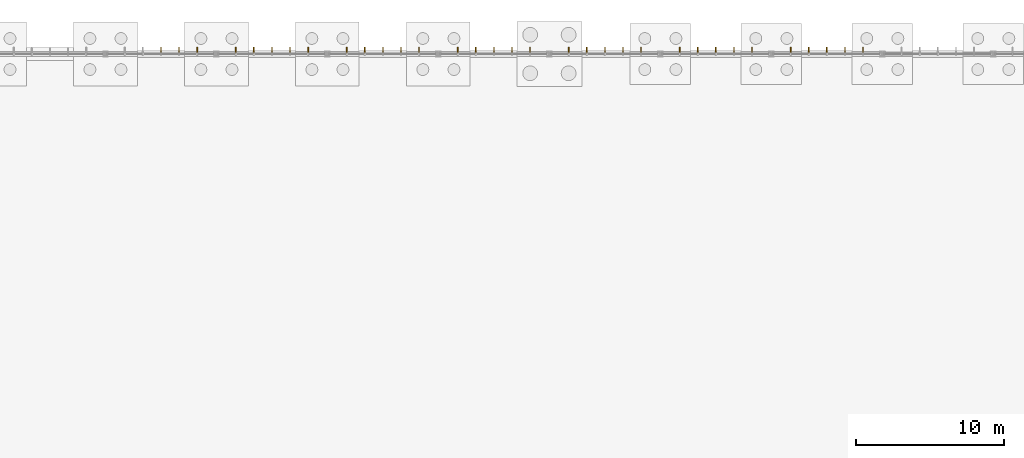
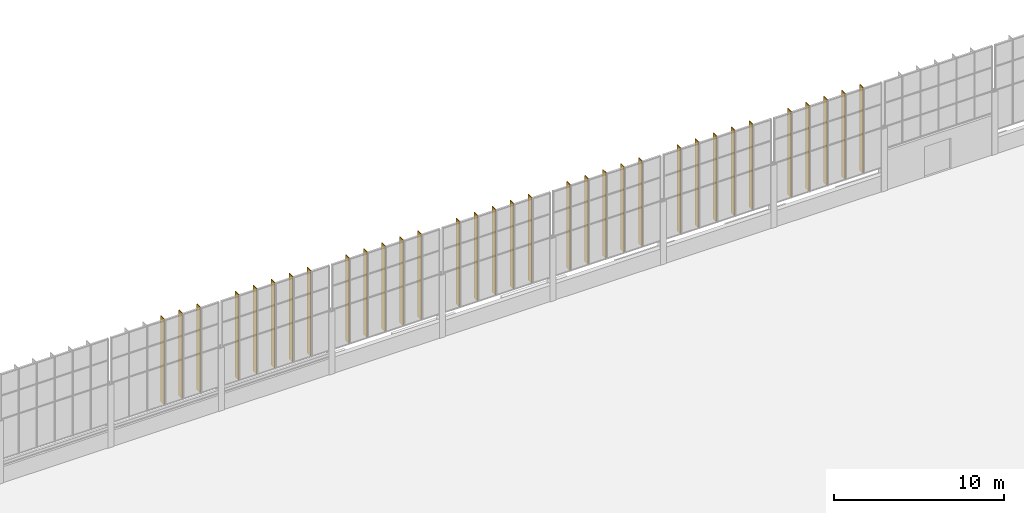
# One storey, part 129 of 136: 33 coverings.
"""IFC4 building model written with IfcOpenShell, lengths in metres."""

from ifc_helpers import new_model, si_unit, direction, frame, origin, origin_2d, place, context, subcontext, project, spatial, rectangle, extrude, material, layer, layer_set, type_object, element, save


model = new_model("IFC4")

# Units and contexts
model_context = context("Model", 3, precision=1e-05, world=origin(), true_north=direction((0.0, 1.0)))
body_context = subcontext(model_context, "Body", "Model", "MODEL_VIEW")
ifc_project = project(units=[si_unit("LENGTHUNIT", "METRE"), si_unit("AREAUNIT", "SQUARE_METRE"), si_unit("VOLUMEUNIT", "CUBIC_METRE"), si_unit("PLANEANGLEUNIT", "RADIAN"), si_unit("MASSUNIT", "GRAM", prefix="KILO")], contexts=[model_context])

# Site, building, storey
site_placement = place(None, origin())
site = spatial("IfcSite", under=ifc_project, at=site_placement, CompositionType="ELEMENT")
building_placement = place(site_placement, origin())
building = spatial("IfcBuilding", under=site, at=building_placement, Name="Solvenia Promenade Tram Depot", CompositionType="ELEMENT")
storey_placement = place(building_placement, origin())
storey = spatial("IfcBuildingStorey", under=building, at=storey_placement, Name="L00", CompositionType="ELEMENT", Elevation=0.0)

# Coverings
ifc_material = material(Name="Anodized aluminium AW-6063 T6", Category="aluminium")
ifc_layer = layer(ifc_material, 0.050048828125, Name="Anodized aluminium AW-6063 T6", Category="aluminium")
ifc_layer_set = layer_set([ifc_layer], Name="Anodized aluminium AW-6063 T6")
covering_type = type_object("IfcCoveringType", Name="Fin-Shade-380", PredefinedType="CLADDING", material=ifc_layer_set)
for number, where, z_axis, x_axis, name in (
    (1, (63.75, 126.2548828125, 1.60009765625), (0.0, 0.0, 1.0), (1.0, 0.0, 0.0), "Channel-Glass Vertical Shading Rib 043"),
    (2, (64.973388671875, 126.2548828125, 1.60009765625), (0.0, 0.0, 1.0), (1.0, 0.0, 0.0), "Channel-Glass Vertical Shading Rib 044"),
    (3, (66.19677734375, 126.2548828125, 1.60009765625), (0.0, 0.0, 1.0), (1.0, 0.0, 0.0), "Channel-Glass Vertical Shading Rib 045"),
    (4, (68.80322265625, 126.2548828125, 1.60009765625), (0.0, 0.0, 1.0), (1.0, 0.0, 0.0), "Channel-Glass Vertical Shading Rib 046"),
    (5, (70.026611328125, 126.2548828125, 1.60009765625), (0.0, 0.0, 1.0), (1.0, 0.0, 0.0), "Channel-Glass Vertical Shading Rib 047"),
    (6, (71.25, 126.2548828125, 1.60009765625), (0.0, 0.0, 1.0), (1.0, 0.0, 0.0), "Channel-Glass Vertical Shading Rib 048"),
    (7, (72.473388671875, 126.2548828125, 1.60009765625), (0.0, 0.0, 1.0), (1.0, 0.0, 0.0), "Channel-Glass Vertical Shading Rib 049"),
    (8, (73.69677734375, 126.2548828125, 1.60009765625), (0.0, 0.0, 1.0), (1.0, 0.0, 0.0), "Channel-Glass Vertical Shading Rib 050"),
    (9, (76.30322265625, 126.2548828125, 1.60009765625), (0.0, 0.0, 1.0), (1.0, 0.0, 0.0), "Channel-Glass Vertical Shading Rib 051"),
    (10, (77.526611328125, 126.2548828125, 1.60009765625), (0.0, 0.0, 1.0), (1.0, 0.0, 0.0), "Channel-Glass Vertical Shading Rib 052"),
    (11, (78.75, 126.2548828125, 1.60009765625), (0.0, 0.0, 1.0), (1.0, 0.0, 0.0), "Channel-Glass Vertical Shading Rib 053"),
    (12, (79.973388671875, 126.2548828125, 1.60009765625), (0.0, 0.0, 1.0), (1.0, 0.0, 0.0), "Channel-Glass Vertical Shading Rib 054"),
    (13, (81.19677734375, 126.2548828125, 1.60009765625), (0.0, 0.0, 1.0), (1.0, 0.0, 0.0), "Channel-Glass Vertical Shading Rib 055"),
    (14, (83.80322265625, 126.2548828125, 1.60009765625), (0.0, 0.0, 1.0), (1.0, 0.0, 0.0), "Channel-Glass Vertical Shading Rib 056"),
    (15, (85.026611328125, 126.2548828125, 1.60009765625), (0.0, 0.0, 1.0), (1.0, 0.0, 0.0), "Channel-Glass Vertical Shading Rib 057"),
    (16, (86.25, 126.2548828125, 1.60009765625), (0.0, 0.0, 1.0), (1.0, 0.0, 0.0), "Channel-Glass Vertical Shading Rib 058"),
    (17, (87.473388671875, 126.2548828125, 1.60009765625), (0.0, 0.0, 1.0), (1.0, 0.0, 0.0), "Channel-Glass Vertical Shading Rib 059"),
    (18, (88.69677734375, 126.2548828125, 1.60009765625), (0.0, 0.0, 1.0), (1.0, 0.0, 0.0), "Channel-Glass Vertical Shading Rib 060"),
    (19, (91.30322265625, 126.2548828125, 1.60009765625), (0.0, 0.0, 1.0), (1.0, 0.0, 0.0), "Channel-Glass Vertical Shading Rib 061"),
    (20, (92.526611328125, 126.2548828125, 1.60009765625), (0.0, 0.0, 1.0), (1.0, 0.0, 0.0), "Channel-Glass Vertical Shading Rib 062"),
    (21, (93.75, 126.2548828125, 1.60009765625), (0.0, 0.0, 1.0), (1.0, 0.0, 0.0), "Channel-Glass Vertical Shading Rib 063"),
    (22, (94.973388671875, 126.2548828125, 1.60009765625), (0.0, 0.0, 1.0), (1.0, 0.0, 0.0), "Channel-Glass Vertical Shading Rib 064"),
    (23, (96.19677734375, 126.2548828125, 1.60009765625), (0.0, 0.0, 1.0), (1.0, 0.0, 0.0), "Channel-Glass Vertical Shading Rib 065"),
    (24, (98.80322265625, 126.2548828125, 1.60009765625), (0.0, 0.0, 1.0), (1.0, 0.0, 0.0), "Channel-Glass Vertical Shading Rib 066"),
    (25, (100.026611328125, 126.2548828125, 1.60009765625), (0.0, 0.0, 1.0), (1.0, 0.0, 0.0), "Channel-Glass Vertical Shading Rib 067"),
    (26, (101.25, 126.2548828125, 1.60009765625), (0.0, 0.0, 1.0), (1.0, 0.0, 0.0), "Channel-Glass Vertical Shading Rib 068"),
    (27, (102.473388671875, 126.2548828125, 1.60009765625), (0.0, 0.0, 1.0), (1.0, 0.0, 0.0), "Channel-Glass Vertical Shading Rib 069"),
    (28, (103.69677734375, 126.2548828125, 1.60009765625), (0.0, 0.0, 1.0), (1.0, 0.0, 0.0), "Channel-Glass Vertical Shading Rib 070"),
    (29, (106.30322265625, 126.2548828125, 1.60009765625), (0.0, 0.0, 1.0), (1.0, 0.0, 0.0), "Channel-Glass Vertical Shading Rib 071"),
    (30, (107.526611328125, 126.2548828125, 1.60009765625), (0.0, 0.0, 1.0), (1.0, 0.0, 0.0), "Channel-Glass Vertical Shading Rib 072"),
    (31, (108.75, 126.2548828125, 1.60009765625), (0.0, 0.0, 1.0), (1.0, 0.0, 0.0), "Channel-Glass Vertical Shading Rib 073"),
    (32, (109.973388671875, 126.2548828125, 1.60009765625), (0.0, 0.0, 1.0), (1.0, 0.0, 0.0), "Channel-Glass Vertical Shading Rib 074"),
    (33, (111.19677734375, 126.2548828125, 1.60009765625), (0.0, 0.0, 1.0), (1.0, 0.0, 0.0), "Channel-Glass Vertical Shading Rib 075"),
):
    element("IfcCovering", number, at=place(storey_placement, frame(where, z_axis=z_axis, x_axis=x_axis)), inside=storey, type_object=covering_type, Name=name, PredefinedType="CLADDING", context=body_context, shape_type="SweptSolid", body=[
        extrude(rectangle(XDim=0.050048828125, YDim=0.3798828125, at=origin_2d()), origin(), (0.0, 0.0, 1.0), 6.14990234375),
    ])

save(model, "model.ifc")
